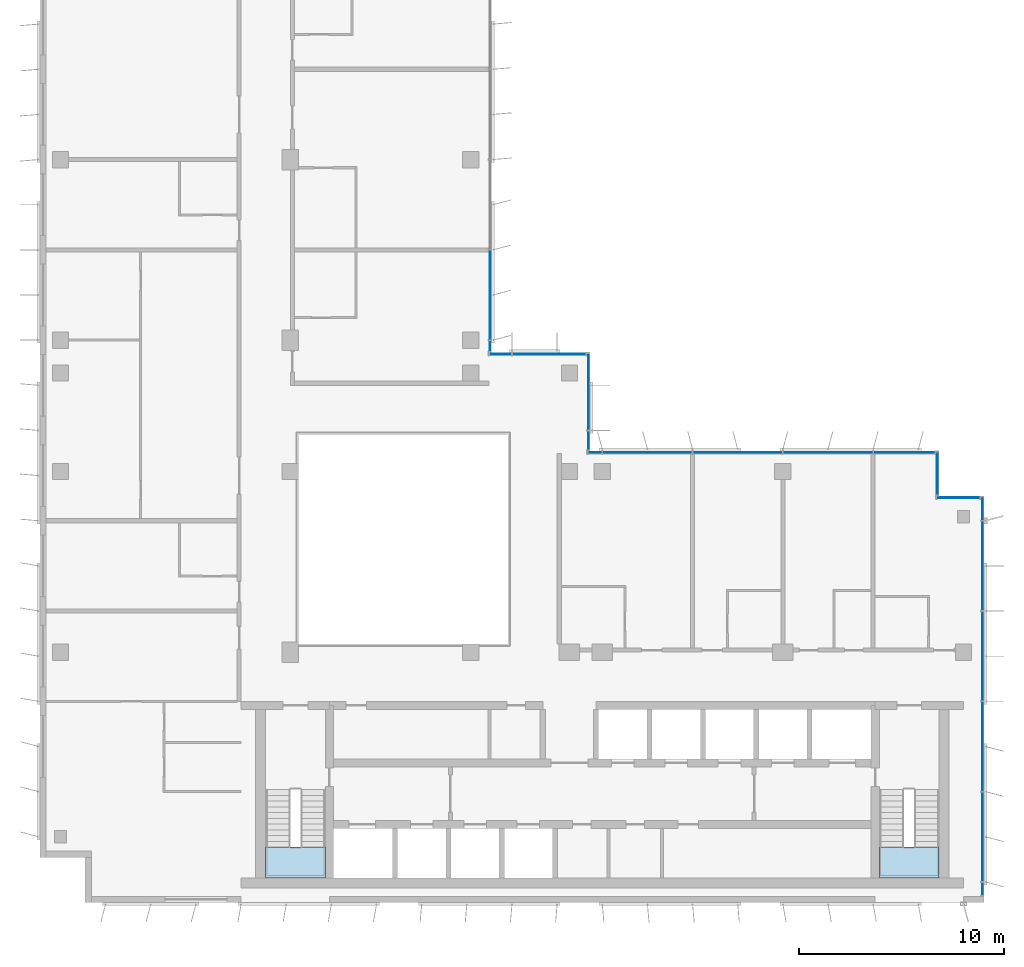
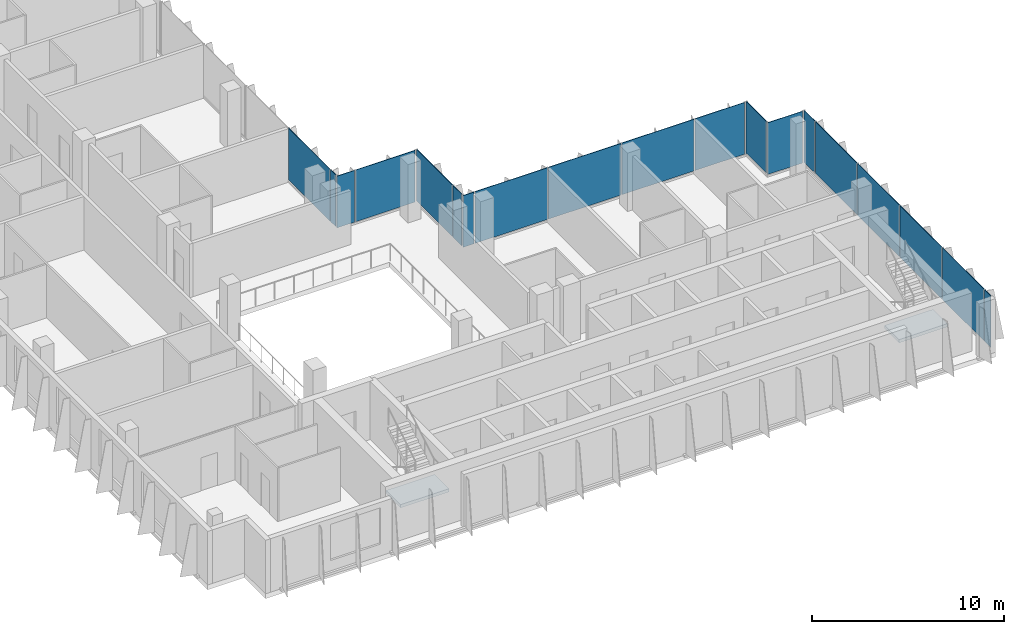
# One storey, part 7 of 15: 19 plates, 2 slabs, 9 elements without a shape of their own.
"""IFC4 building model written with IfcOpenShell, lengths in metres."""

from ifc_helpers import new_model, si_unit, direction, frame, origin, origin_2d, place, context, subcontext, project, spatial, polyline, rectangle, outline, extrude, source, transform, mapped, material, layer, layer_set, type_object, element, aggregate, save


model = new_model("IFC4")

# Units and contexts
model_context = context("Model", 3, precision=1e-05, world=origin(), true_north=direction((0.0, 1.0)))
body_context = subcontext(model_context, "Body", "Model", "MODEL_VIEW")
ifc_project = project(units=[si_unit("LENGTHUNIT", "METRE"), si_unit("AREAUNIT", "SQUARE_METRE"), si_unit("VOLUMEUNIT", "CUBIC_METRE"), si_unit("PLANEANGLEUNIT", "RADIAN"), si_unit("MASSUNIT", "GRAM", prefix="KILO")], contexts=[model_context])

# Site, building, storey
site_placement = place(None, origin())
site = spatial("IfcSite", under=ifc_project, at=site_placement, CompositionType="ELEMENT")
building_placement = place(site_placement, origin())
building = spatial("IfcBuilding", under=site, at=building_placement, Name="Kemantara Hotel Tower", CompositionType="ELEMENT")
storey_placement = place(building_placement, frame((0.0, 0.0, 279.60009765625)))
storey = spatial("IfcBuildingStorey", under=building, at=storey_placement, Name="L70", CompositionType="ELEMENT", Elevation=279.60009765625)

# Stair, slab
ifc_material_1 = material(Name="Concrete fc 40 MPa", Category="concrete")
stair_type = type_object("IfcStairType", Name="Stair 1200 wide 22 risers of 168 x 280 mm", PredefinedType="HALF_TURN_STAIR", material=ifc_material_1)
stair_1_placement = place(storey_placement, origin())
stair_1 = element("IfcStair", 1, at=stair_1_placement, inside=storey, type_object=stair_type, Name="L70 Exit stair ST1", PredefinedType="HALF_TURN_STAIR")
ifc_layer_1 = layer(ifc_material_1, 0.199951171875)
ifc_layer_set_1 = layer_set([ifc_layer_1], Name="Concrete fc 40 MPa")
slab_type = type_object("IfcSlabType", Name="Stair landing 200 mm", PredefinedType="LANDING", material=ifc_layer_set_1)
slab_1_placement = place(storey_placement, frame((0.0, 0.0, 1.64990234375)))
slab_1 = element("IfcSlab", 2, at=slab_1_placement, type_object=slab_type, Name="ST1 landing 1", PredefinedType="LANDING", context=body_context, shape_type="SweptSolid", body=[
    extrude(outline(polyline([(11.0, 2.699951171875), (11.0, 1.199951171875), (13.89990234375, 1.199951171875), (13.89990234375, 2.699951171875), (11.0, 2.699951171875)])), origin(), (0.0, 0.0, 1.0), 0.199951171875),
])
aggregate(stair_1, [slab_1])

stair_2_placement = place(storey_placement, origin())
stair_2 = element("IfcStair", 3, at=stair_2_placement, inside=storey, type_object=stair_type, Name="L70 Exit stair ST2", PredefinedType="HALF_TURN_STAIR")
slab_2_placement = place(storey_placement, frame((0.0, 0.0, 1.64990234375)))
slab_2 = element("IfcSlab", 4, at=slab_2_placement, type_object=slab_type, Name="ST2 landing 1", PredefinedType="LANDING", context=body_context, shape_type="SweptSolid", body=[
    extrude(outline(polyline([(40.89990234375, 2.699951171875), (40.89990234375, 1.199951171875), (43.800048828125, 1.199951171875), (43.800048828125, 2.699951171875), (40.89990234375, 2.699951171875)])), origin(), (0.0, 0.0, 1.0), 0.199951171875),
])
aggregate(stair_2, [slab_2])

# Curtain wall, plates
ifc_material_2 = material(Name="Low-E tinted double insulated glass 36 mm", Category="glass")
curtain_wall_type = type_object("IfcCurtainWallType", Name="TOWER CURTAIN WALL, FRONT FACES", PredefinedType="USERDEFINED", material=ifc_material_2)
curtain_wall_1_placement = place(storey_placement, origin())
curtain_wall_1 = element("IfcCurtainWall", 5, at=curtain_wall_1_placement, inside=storey, type_object=curtain_wall_type, Name="CW4 L70 T4-R09-1", ObjectType="TOWER CURTAIN WALL, FRONT FACES", PredefinedType="USERDEFINED")
ifc_layer_2 = layer(ifc_material_2, 0.035888671875)
ifc_layer_set_2 = layer_set([ifc_layer_2], Name="Low-E tinted double insulated glass 36 mm")
plate_type = type_object("IfcPlateType", Name="TOWER CURTAIN WALL, FRONT FACES PANEL", PredefinedType="CURTAIN_PANEL", material=ifc_layer_set_2)
shared_shape_1 = source(origin(), body_context, "Body", "SweptSolid", [
    extrude(rectangle(XDim=4.340087890625, YDim=0.035888671875, at=origin_2d()), origin(), (0.0, 0.0, 1.0), 3.280029296875),
])
plate_1_placement = place(storey_placement, frame((45.925048828125, 3.199951171875, 0.1201171875), z_axis=(0.0, 0.0, 1.0), x_axis=(0.0, 1.0, 0.0)))
plate_1 = element("IfcPlate", 6, at=plate_1_placement, type_object=plate_type, Name="CW4 glass panel T4-R09-1.2", PredefinedType="CURTAIN_PANEL", context=body_context, shape_type="MappedRepresentation", body=[
    mapped(shared_shape_1, transform((0.0, 0.0, 0.0))),
])
plate_2_placement = place(storey_placement, frame((45.925048828125, 7.60009765625, 0.1201171875), z_axis=(0.0, 0.0, 1.0), x_axis=(0.0, 1.0, 0.0)))
plate_2 = element("IfcPlate", 7, at=plate_2_placement, type_object=plate_type, Name="CW4 glass panel T4-R09-1.3", PredefinedType="CURTAIN_PANEL", context=body_context, shape_type="MappedRepresentation", body=[
    mapped(shared_shape_1, transform((0.0, 0.0, 0.0))),
])
plate_3_placement = place(storey_placement, frame((45.925048828125, 12.0, 0.1201171875), z_axis=(0.0, 0.0, 1.0), x_axis=(0.0, 1.0, 0.0)))
plate_3 = element("IfcPlate", 8, at=plate_3_placement, type_object=plate_type, Name="CW4 glass panel T4-R09-1.4", PredefinedType="CURTAIN_PANEL", context=body_context, shape_type="MappedRepresentation", body=[
    mapped(shared_shape_1, transform((0.0, 0.0, 0.0))),
])
plate_4_placement = place(storey_placement, frame((45.925048828125, 16.39990234375, 0.1201171875), z_axis=(0.0, 0.0, 1.0), x_axis=(0.0, 1.0, 0.0)))
plate_4 = element("IfcPlate", 9, at=plate_4_placement, type_object=plate_type, Name="CW4 glass panel T4-R09-1.5", PredefinedType="CURTAIN_PANEL", context=body_context, shape_type="MappedRepresentation", body=[
    mapped(shared_shape_1, transform((0.0, 0.0, 0.0))),
])

curtain_wall_2_placement = place(storey_placement, origin())
curtain_wall_2 = element("IfcCurtainWall", 10, at=curtain_wall_2_placement, inside=storey, type_object=curtain_wall_type, Name="CW4 L70 T4-R12-1", ObjectType="TOWER CURTAIN WALL, FRONT FACES", PredefinedType="USERDEFINED")
plate_5_placement = place(storey_placement, frame((38.39990234375, 21.925048828125, 0.1201171875), z_axis=(0.0, 0.0, 1.0), x_axis=(-1.0, 0.0, 0.0)))
plate_5 = element("IfcPlate", 11, at=plate_5_placement, type_object=plate_type, Name="CW4 glass panel T4-R12-1.2", PredefinedType="CURTAIN_PANEL", context=body_context, shape_type="MappedRepresentation", body=[
    mapped(shared_shape_1, transform((0.0, 0.0, 0.0))),
])
plate_6_placement = place(storey_placement, frame((34.0, 21.925048828125, 0.1201171875), z_axis=(0.0, 0.0, 1.0), x_axis=(-1.0, 0.0, 0.0)))
plate_6 = element("IfcPlate", 12, at=plate_6_placement, type_object=plate_type, Name="CW4 glass panel T4-R12-1.3", PredefinedType="CURTAIN_PANEL", context=body_context, shape_type="MappedRepresentation", body=[
    mapped(shared_shape_1, transform((0.0, 0.0, 0.0))),
])
plate_7_placement = place(storey_placement, frame((29.60009765625, 21.925048828125, 0.1201171875), z_axis=(0.0, 0.0, 1.0), x_axis=(-1.0, 0.0, 0.0)))
plate_7 = element("IfcPlate", 13, at=plate_7_placement, type_object=plate_type, Name="CW4 glass panel T4-R12-1.4", PredefinedType="CURTAIN_PANEL", context=body_context, shape_type="MappedRepresentation", body=[
    mapped(shared_shape_1, transform((0.0, 0.0, 0.0))),
])

# Curtain wall, plate
curtain_wall_3_placement = place(storey_placement, origin())
curtain_wall_3 = element("IfcCurtainWall", 14, at=curtain_wall_3_placement, inside=storey, type_object=curtain_wall_type, Name="CW4 L70 T4-R15-1", ObjectType="TOWER CURTAIN WALL, FRONT FACES", PredefinedType="USERDEFINED")
plate_8_placement = place(storey_placement, frame((21.925048828125, 29.60009765625, 0.1201171875), z_axis=(0.0, 0.0, 1.0), x_axis=(0.0, 1.0, 0.0)))
plate_8 = element("IfcPlate", 15, at=plate_8_placement, type_object=plate_type, Name="CW4 glass panel T4-R15-1.2", PredefinedType="CURTAIN_PANEL", context=body_context, shape_type="MappedRepresentation", body=[
    mapped(shared_shape_1, transform((0.0, 0.0, 0.0))),
])

curtain_wall_4_placement = place(storey_placement, origin())
curtain_wall_4 = element("IfcCurtainWall", 16, at=curtain_wall_4_placement, inside=storey, type_object=curtain_wall_type, Name="CW4 L70 T4-R10-1", ObjectType="TOWER CURTAIN WALL, FRONT FACES", PredefinedType="USERDEFINED")
shared_shape_2 = source(origin(), body_context, "Body", "SweptSolid", [
    extrude(rectangle(XDim=2.080078125, YDim=0.035888671875, at=origin_2d()), origin(), (0.0, 0.0, 1.0), 3.280029296875),
])
plate_9_placement = place(storey_placement, frame((44.75, 19.72509765625, 0.1201171875), z_axis=(0.0, 0.0, 1.0), x_axis=(-1.0, 0.0, 0.0)))
plate_9 = element("IfcPlate", 17, at=plate_9_placement, type_object=plate_type, Name="CW4 glass panel T4-R10-1.1", PredefinedType="CURTAIN_PANEL", context=body_context, shape_type="MappedRepresentation", body=[
    mapped(shared_shape_2, transform((0.0, 0.0, 0.0))),
])
aggregate(curtain_wall_4, [plate_9])

curtain_wall_5_placement = place(storey_placement, origin())
curtain_wall_5 = element("IfcCurtainWall", 18, at=curtain_wall_5_placement, inside=storey, type_object=curtain_wall_type, Name="CW4 L70 T4-R11-1", ObjectType="TOWER CURTAIN WALL, FRONT FACES", PredefinedType="USERDEFINED")
plate_10_placement = place(storey_placement, frame((43.72509765625, 20.89990234375, 0.1201171875), z_axis=(0.0, 0.0, 1.0), x_axis=(0.0, 1.0, 0.0)))
plate_10 = element("IfcPlate", 19, at=plate_10_placement, type_object=plate_type, Name="CW4 glass panel T4-R11-1.1", PredefinedType="CURTAIN_PANEL", context=body_context, shape_type="MappedRepresentation", body=[
    mapped(shared_shape_2, transform((0.0, 0.0, 0.0))),
])
aggregate(curtain_wall_5, [plate_10])

# Plate
shared_shape_3 = source(origin(), body_context, "Body", "SweptSolid", [
    extrude(rectangle(XDim=2.9599609375, YDim=0.035888671875, at=origin_2d()), origin(), (0.0, 0.0, 1.0), 3.280029296875),
])
plate_11_placement = place(storey_placement, frame((42.110107421875, 21.925048828125, 0.1201171875), z_axis=(0.0, 0.0, 1.0), x_axis=(-1.0, 0.0, 0.0)))
plate_11 = element("IfcPlate", 20, at=plate_11_placement, type_object=plate_type, Name="CW4 glass panel T4-R12-1.1", PredefinedType="CURTAIN_PANEL", context=body_context, shape_type="MappedRepresentation", body=[
    mapped(shared_shape_3, transform((0.0, 0.0, 0.0))),
])

shared_shape_4 = source(origin(), body_context, "Body", "SweptSolid", [
    extrude(rectangle(XDim=0.659912109375, YDim=0.035888671875, at=origin_2d()), origin(), (0.0, 0.0, 1.0), 3.280029296875),
])
plate_12_placement = place(storey_placement, frame((27.0400390625, 21.925048828125, 0.1201171875), z_axis=(0.0, 0.0, 1.0), x_axis=(-1.0, 0.0, 0.0)))
plate_12 = element("IfcPlate", 21, at=plate_12_placement, type_object=plate_type, Name="CW4 glass panel T4-R12-1.5", PredefinedType="CURTAIN_PANEL", context=body_context, shape_type="MappedRepresentation", body=[
    mapped(shared_shape_4, transform((0.0, 0.0, 0.0))),
])

aggregate(curtain_wall_2, [plate_11, plate_5, plate_6, plate_7, plate_12])

shared_shape_5 = source(origin(), body_context, "Body", "SweptSolid", [
    extrude(rectangle(XDim=0.510009765625, YDim=0.035888671875, at=origin_2d()), origin(), (0.0, 0.0, 1.0), 3.280029296875),
])
plate_13_placement = place(storey_placement, frame((21.925048828125, 27.114990234375, 0.1201171875), z_axis=(0.0, 0.0, 1.0), x_axis=(0.0, 1.0, 0.0)))
plate_13 = element("IfcPlate", 22, at=plate_13_placement, type_object=plate_type, Name="CW4 glass panel T4-R15-1.1", PredefinedType="CURTAIN_PANEL", context=body_context, shape_type="MappedRepresentation", body=[
    mapped(shared_shape_5, transform((0.0, 0.0, 0.0))),
])

aggregate(curtain_wall_3, [plate_13, plate_8])

# Curtain wall, plate
curtain_wall_6_placement = place(storey_placement, origin())
curtain_wall_6 = element("IfcCurtainWall", 23, at=curtain_wall_6_placement, inside=storey, type_object=curtain_wall_type, Name="CW4 L70 T4-R13-1", ObjectType="TOWER CURTAIN WALL, FRONT FACES", PredefinedType="USERDEFINED")
shared_shape_6 = source(origin(), body_context, "Body", "SweptSolid", [
    extrude(rectangle(XDim=0.909912109375, YDim=0.035888671875, at=origin_2d()), origin(), (0.0, 0.0, 1.0), 3.280029296875),
])
plate_14_placement = place(storey_placement, frame((26.72509765625, 22.514892578125, 0.1201171875), z_axis=(0.0, 0.0, 1.0), x_axis=(0.0, 1.0, 0.0)))
plate_14 = element("IfcPlate", 24, at=plate_14_placement, type_object=plate_type, Name="CW4 glass panel T4-R13-1.1", PredefinedType="CURTAIN_PANEL", context=body_context, shape_type="MappedRepresentation", body=[
    mapped(shared_shape_6, transform((0.0, 0.0, 0.0))),
])

# Plate
shared_shape_7 = source(origin(), body_context, "Body", "SweptSolid", [
    extrude(rectangle(XDim=1.110107421875, YDim=0.035888671875, at=origin_2d()), origin(), (0.0, 0.0, 1.0), 3.280029296875),
])
plate_15_placement = place(storey_placement, frame((45.925048828125, 19.18505859375, 0.1201171875), z_axis=(0.0, 0.0, 1.0), x_axis=(0.0, 1.0, 0.0)))
plate_15 = element("IfcPlate", 25, at=plate_15_placement, type_object=plate_type, Name="CW4 glass panel T4-R09-1.6", PredefinedType="CURTAIN_PANEL", context=body_context, shape_type="MappedRepresentation", body=[
    mapped(shared_shape_7, transform((0.0, 0.0, 0.0))),
])

shared_shape_8 = source(origin(), body_context, "Body", "SweptSolid", [
    extrude(rectangle(XDim=3.7099609375, YDim=0.035888671875, at=origin_2d()), origin(), (0.0, 0.0, 1.0), 3.280029296875),
])
plate_16_placement = place(storey_placement, frame((26.72509765625, 24.885009765625, 0.1201171875), z_axis=(0.0, 0.0, 1.0), x_axis=(0.0, 1.0, 0.0)))
plate_16 = element("IfcPlate", 26, at=plate_16_placement, type_object=plate_type, Name="CW4 glass panel T4-R13-1.2", PredefinedType="CURTAIN_PANEL", context=body_context, shape_type="MappedRepresentation", body=[
    mapped(shared_shape_8, transform((0.0, 0.0, 0.0))),
])

aggregate(curtain_wall_6, [plate_14, plate_16])

# Curtain wall, plates
curtain_wall_7_placement = place(storey_placement, origin())
curtain_wall_7 = element("IfcCurtainWall", 27, at=curtain_wall_7_placement, inside=storey, type_object=curtain_wall_type, Name="CW4 L70 T4-R14-1", ObjectType="TOWER CURTAIN WALL, FRONT FACES", PredefinedType="USERDEFINED")
shared_shape_9 = source(origin(), body_context, "Body", "SweptSolid", [
    extrude(rectangle(XDim=3.56005859375, YDim=0.035888671875, at=origin_2d()), origin(), (0.0, 0.0, 1.0), 3.280029296875),
])
plate_17_placement = place(storey_placement, frame((24.81005859375, 26.72509765625, 0.1201171875), z_axis=(0.0, 0.0, 1.0), x_axis=(-1.0, 0.0, 0.0)))
plate_17 = element("IfcPlate", 28, at=plate_17_placement, type_object=plate_type, Name="CW4 glass panel T4-R14-1.1", PredefinedType="CURTAIN_PANEL", context=body_context, shape_type="MappedRepresentation", body=[
    mapped(shared_shape_9, transform((0.0, 0.0, 0.0))),
])
shared_shape_10 = source(origin(), body_context, "Body", "SweptSolid", [
    extrude(rectangle(XDim=1.06005859375, YDim=0.035888671875, at=origin_2d()), origin(), (0.0, 0.0, 1.0), 3.280029296875),
])
plate_18_placement = place(storey_placement, frame((22.43994140625, 26.72509765625, 0.1201171875), z_axis=(0.0, 0.0, 1.0), x_axis=(-1.0, 0.0, 0.0)))
plate_18 = element("IfcPlate", 29, at=plate_18_placement, type_object=plate_type, Name="CW4 glass panel T4-R14-1.2", PredefinedType="CURTAIN_PANEL", context=body_context, shape_type="MappedRepresentation", body=[
    mapped(shared_shape_10, transform((0.0, 0.0, 0.0))),
])
aggregate(curtain_wall_7, [plate_17, plate_18])

# Plate
shared_shape_11 = source(origin(), body_context, "Body", "SweptSolid", [
    extrude(rectangle(XDim=0.610107421875, YDim=0.035888671875, at=origin_2d()), origin(), (0.0, 0.0, 1.0), 3.280029296875),
])
plate_19_placement = place(storey_placement, frame((45.925048828125, 0.6650390625, 0.1201171875), z_axis=(0.0, 0.0, 1.0), x_axis=(0.0, 1.0, 0.0)))
plate_19 = element("IfcPlate", 30, at=plate_19_placement, type_object=plate_type, Name="CW4 glass panel T4-R09-1.1", PredefinedType="CURTAIN_PANEL", context=body_context, shape_type="MappedRepresentation", body=[
    mapped(shared_shape_11, transform((0.0, 0.0, 0.0))),
])

aggregate(curtain_wall_1, [plate_19, plate_1, plate_2, plate_3, plate_4, plate_15])

save(model, "model.ifc")
